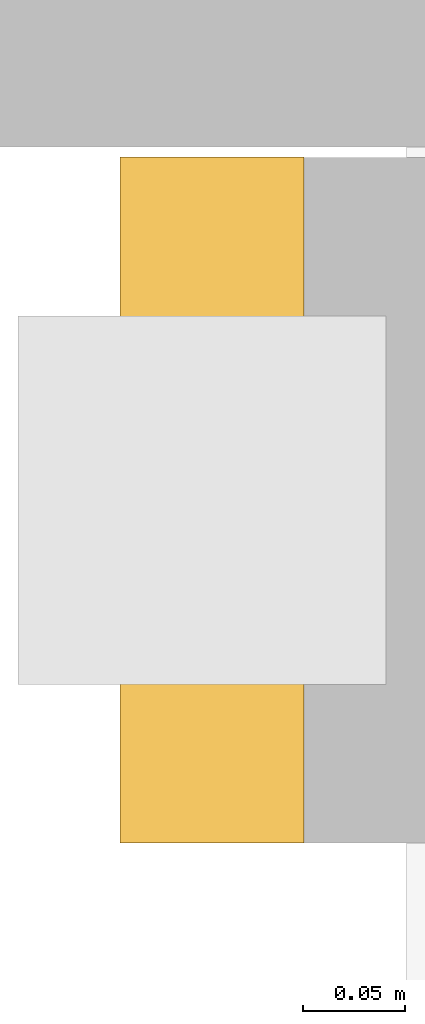
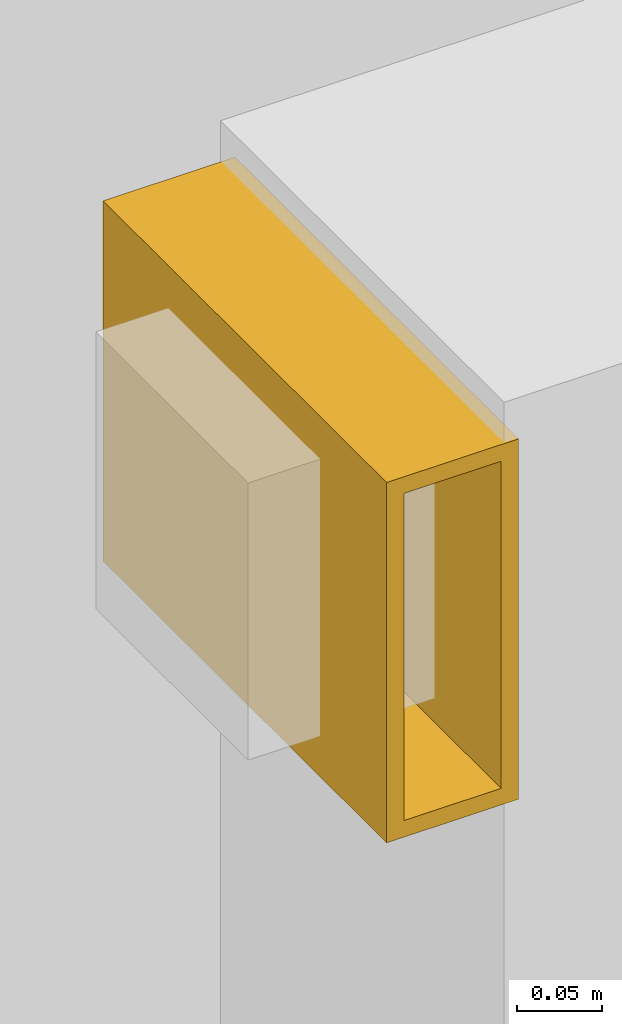
# One storey, part 34 of 34: 1 shading device.
"""IFC4 building model written with IfcOpenShell, lengths in metres."""

from ifc_helpers import new_model, si_unit, derived_unit, direction, frame, origin, origin_2d, place, context, subcontext, project, spatial, hollow_rectangle, extrude, source, transform, mapped, material, material_profile, profile_set, type_object, element, save


model = new_model("IFC4")

# Units and contexts
model_context = context("Model", 3, precision=1e-05, world=origin(), true_north=direction((0.0, 1.0)))
body_context = subcontext(model_context, "Body", "Model", "MODEL_VIEW")
ifc_project = project(units=[si_unit("LENGTHUNIT", "METRE"), si_unit("AREAUNIT", "SQUARE_METRE"), si_unit("VOLUMEUNIT", "CUBIC_METRE"), si_unit("PLANEANGLEUNIT", "RADIAN"), si_unit("MASSUNIT", "GRAM", prefix="KILO"), derived_unit("THERMALTRANSMITTANCEUNIT", [(si_unit("POWERUNIT", "WATT"), 1), (si_unit("LENGTHUNIT", "METRE"), -2), (si_unit("THERMODYNAMICTEMPERATUREUNIT", "KELVIN"), -1)])], contexts=[model_context])

# Site, building, storey
site_placement = place(None, origin())
site = spatial("IfcSite", under=ifc_project, at=site_placement, CompositionType="ELEMENT")
building_placement = place(site_placement, origin())
building = spatial("IfcBuilding", under=site, at=building_placement, Name="Korsvarv Bourse and Concert Hall", CompositionType="ELEMENT")
storey_placement = place(building_placement, frame((0.0, 0.0, 14.39990234375)))
storey = spatial("IfcBuildingStorey", under=building, at=storey_placement, Name="L03", CompositionType="ELEMENT", Elevation=14.39990234375)

# Shading device
ifc_material = material(Name="Glazed extruded architectural terracotta", Category="ceramic")
ifc_material_profile = material_profile(ifc_material, hollow_rectangle(XDim=0.090087890625, YDim=0.260009765625, WallThickness=0.011962890625, at=origin_2d()), Name="TC-BAG 90x260")
ifc_profile_set = profile_set([ifc_material_profile], Name="Glazed extruded architectural terracotta")
shading_device_type = type_object("IfcShadingDeviceType", Name="SHD-BAG-1", PredefinedType="USERDEFINED", material=ifc_profile_set)
shared_shape = source(origin(), body_context, "Body", "SweptSolid", [
    extrude(hollow_rectangle(XDim=0.090087890625, YDim=0.260009765625, WallThickness=0.011962890625, at=origin_2d()), origin(), (0.0, 0.0, 1.0), 0.335205078125),
])
shading_device_placement = place(storey_placement, frame((5.804931640625, 3.159912109375, 4.360107421875), z_axis=(0.0, 1.0, 0.0), x_axis=(-1.0, 0.0, 0.0)))
element("IfcShadingDevice", 1, at=shading_device_placement, inside=storey, type_object=shading_device_type, Name="L03 terracotta baguette sunshade EW-L03-W1-1", ObjectType="BAGUETTE", PredefinedType="USERDEFINED", context=body_context, shape_type="MappedRepresentation", body=[
    mapped(shared_shape, transform((0.0, 0.0, 0.0), scale=1.0)),
])

save(model, "model.ifc")
